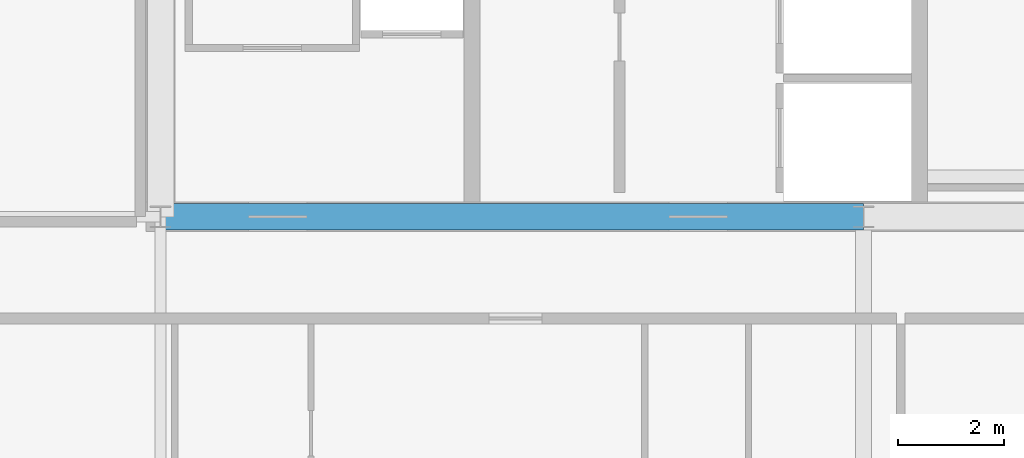
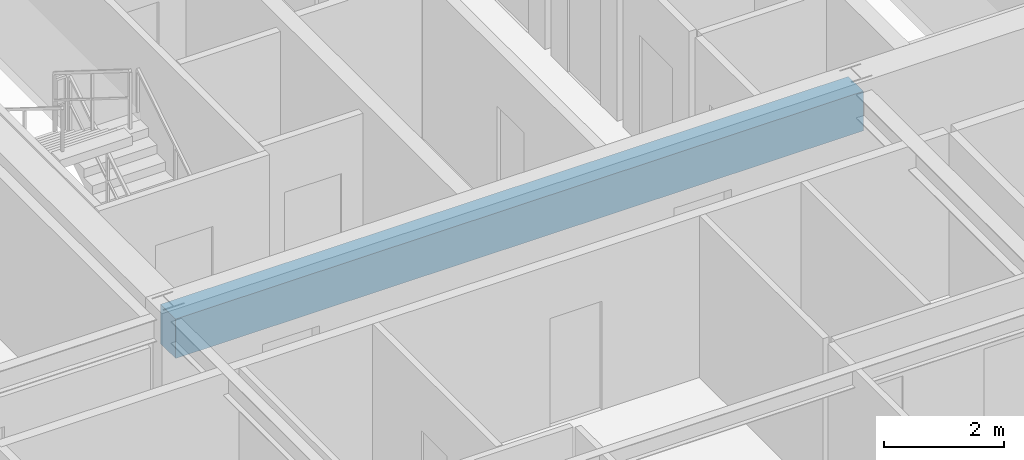
# One storey, part 8 of 36: 1 beam.
"""IFC4 building model written with IfcOpenShell, lengths in metres."""

from ifc_helpers import new_model, si_unit, direction, frame, origin, origin_2d, place, context, subcontext, project, spatial, rectangle, extrude, source, transform, mapped, material, material_profile, profile_set, type_object, element, save


model = new_model("IFC4")

# Units and contexts
model_context = context("Model", 3, precision=1e-05, world=origin(), true_north=direction((0.0, 1.0)))
body_context = subcontext(model_context, "Body", "Model", "MODEL_VIEW")
ifc_project = project(units=[si_unit("LENGTHUNIT", "METRE"), si_unit("AREAUNIT", "SQUARE_METRE"), si_unit("VOLUMEUNIT", "CUBIC_METRE"), si_unit("PLANEANGLEUNIT", "RADIAN"), si_unit("MASSUNIT", "GRAM", prefix="KILO"), si_unit("THERMODYNAMICTEMPERATUREUNIT", "KELVIN"), si_unit("POWERUNIT", "WATT")], contexts=[model_context])

# Site, building, storey
site_placement = place(None, origin())
site = spatial("IfcSite", under=ifc_project, at=site_placement, CompositionType="ELEMENT")
building_placement = place(site_placement, origin())
building = spatial("IfcBuilding", under=site, at=building_placement, Name="Yuzanri Waterfront Tower", CompositionType="ELEMENT")
storey_placement = place(building_placement, frame((0.0, 0.0, 231.10009765625)))
storey = spatial("IfcBuildingStorey", under=building, at=storey_placement, Name="L61", CompositionType="ELEMENT", Elevation=231.10009765625)

# Beam
ifc_material = material(Name="Concrete C50", Category="concrete")
ifc_material_profile = material_profile(ifc_material, rectangle(XDim=0.5, YDim=0.800048828125, at=origin_2d()), Name="RC 500x800")
ifc_profile_set = profile_set([ifc_material_profile], Name="Concrete C50")
beam_type = type_object("IfcBeamType", Name="Core Coupling Lintel Concrete C50 500x800", PredefinedType="LINTEL", material=ifc_profile_set)
shared_shape = source(origin(), body_context, "Body", "SweptSolid", [
    extrude(rectangle(XDim=0.5, YDim=0.800048828125, at=origin_2d()), origin(), (0.0, 0.0, 1.0), 13.199951171875),
])
beam_placement = place(storey_placement, frame((23.800048828125, 19.39990234375, 2.8798828125), z_axis=(1.0, 0.0, 0.0), x_axis=(0.0, 1.0, 0.0)))
element("IfcBeam", 1, at=beam_placement, inside=storey, type_object=beam_type, Name="L61 Core Tie Beam CS1", PredefinedType="LINTEL", context=body_context, shape_type="MappedRepresentation", body=[
    mapped(shared_shape, transform((0.0, 0.0, 0.0), scale=1.0)),
])

save(model, "model.ifc")
